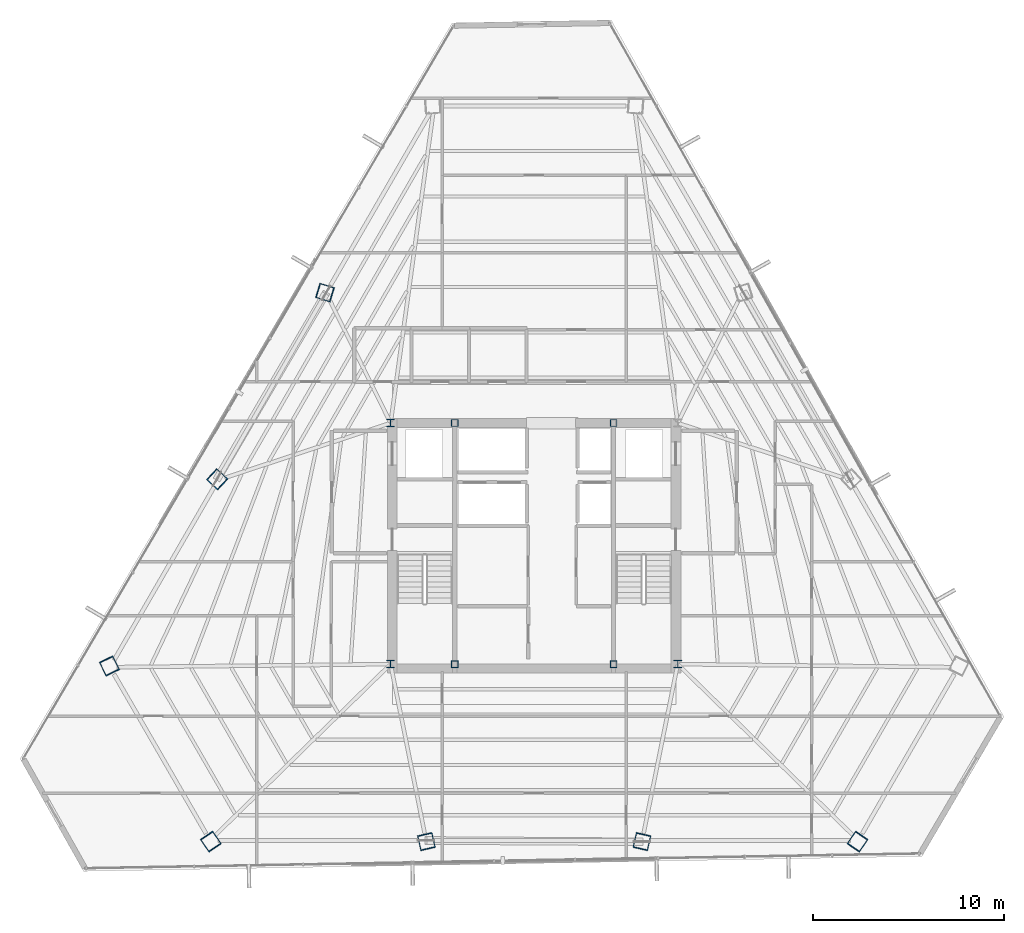
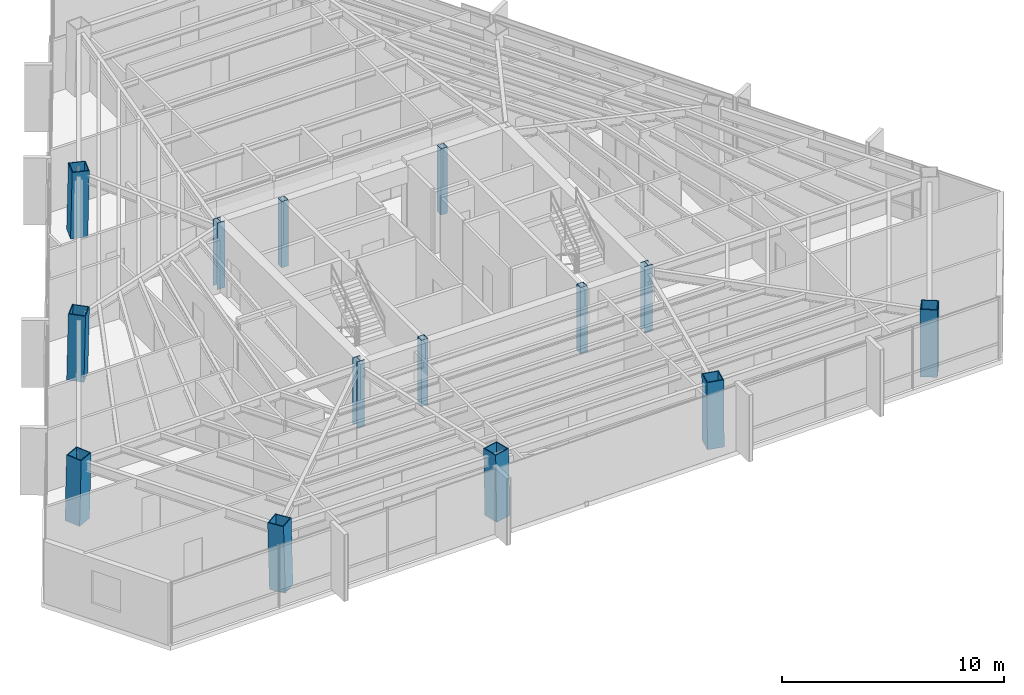
# One storey, part 1 of 42: 14 columns.
"""IFC4 building model written with IfcOpenShell, lengths in metres."""

from ifc_helpers import new_model, si_unit, direction, frame, origin, origin_2d, place, context, subcontext, project, spatial, hollow_rectangle, i_section, extrude, source, transform, mapped, material, material_profile, profile_set, type_object, type_shapes, element, save


model = new_model("IFC4")

# Units and contexts
model_context = context("Model", 3, precision=1e-05, world=origin(), true_north=direction((0.0, 1.0)))
body_context = subcontext(model_context, "Body", "Model", "MODEL_VIEW")
ifc_project = project(units=[si_unit("LENGTHUNIT", "METRE"), si_unit("AREAUNIT", "SQUARE_METRE"), si_unit("VOLUMEUNIT", "CUBIC_METRE"), si_unit("PLANEANGLEUNIT", "RADIAN"), si_unit("MASSUNIT", "GRAM", prefix="KILO")], contexts=[model_context])

# Site, building, storey
site_placement = place(None, origin())
site = spatial("IfcSite", under=ifc_project, at=site_placement, CompositionType="ELEMENT")
building_placement = place(site_placement, origin())
building = spatial("IfcBuilding", under=site, at=building_placement, Name="Caelisora Broadcast Tower", CompositionType="ELEMENT")
storey_placement = place(building_placement, frame((0.0, 0.0, 195.0)))
storey = spatial("IfcBuildingStorey", under=building, at=storey_placement, Name="L51", CompositionType="ELEMENT", Elevation=195.0)

# Columns
ifc_material_1 = material(Name="Steel Grade 350 (AS/NZS 3679.2)", Category="steel")
ifc_material_profile_1 = material_profile(ifc_material_1, i_section(OverallWidth=0.39990234375, OverallDepth=0.39990234375, WebThickness=0.02001953125, FlangeThickness=0.031982421875, at=origin_2d()), Name="Steel Grade 350 (AS/NZS 3679.2)")
ifc_profile_set_1 = profile_set([ifc_material_profile_1], Name="Steel Grade 350 (AS/NZS 3679.2)")
column_type_1 = type_object("IfcColumnType", Name="CC02", PredefinedType="COLUMN", material=ifc_profile_set_1)
shared_shape_1 = source(origin(), body_context, "Body", "SweptSolid", [
    extrude(i_section(OverallWidth=0.39990234375, OverallDepth=0.39990234375, WebThickness=0.02001953125, FlangeThickness=0.031982421875, at=origin_2d()), origin(), (0.0, 0.0, 1.0), 3.64990234375),
])
type_shapes(column_type_1, [shared_shape_1])
for number, where, z_axis, x_axis, name in (
    (1, (30.5, 17.39990234375, 0.0), (0.0, 0.0, 1.0), (1.0, 0.0, 0.0), "L51 column CC02"),
    (2, (45.5, 17.39990234375, 0.0), (0.0, 0.0, 1.0), (1.0, 0.0, 0.0), "L51 column CC02"),
    (3, (30.5, 30.0, 0.0), (0.0, 0.0, 1.0), (1.0, 0.0, 0.0), "L51 column CC02"),
):
    element("IfcColumn", number, at=place(storey_placement, frame(where, z_axis=z_axis, x_axis=x_axis)), inside=storey, type_object=column_type_1, Name=name, PredefinedType="COLUMN", context=body_context, shape_type="MappedRepresentation", body=[
        mapped(shared_shape_1, transform((0.0, 0.0, 0.0), scale=1.0)),
    ])
ifc_material_2 = material(Name="Steel Grade 350 (AS/NZS 1163 C350L0)", Category="steel")
ifc_material_profile_2 = material_profile(ifc_material_2, hollow_rectangle(XDim=0.35009765625, YDim=0.35009765625, WallThickness=0.01611328125, at=origin_2d()), Name="Steel Grade 350 (AS/NZS 1163 C350L0)")
ifc_profile_set_2 = profile_set([ifc_material_profile_2], Name="Steel Grade 350 (AS/NZS 1163 C350L0)")
column_type_2 = type_object("IfcColumnType", Name="CC07", PredefinedType="COLUMN", material=ifc_profile_set_2)
shared_shape_2 = source(origin(), body_context, "Body", "SweptSolid", [
    extrude(hollow_rectangle(XDim=0.35009765625, YDim=0.35009765625, WallThickness=0.01611328125, at=origin_2d()), origin(), (0.0, 0.0, 1.0), 3.64990234375),
])
type_shapes(column_type_2, [shared_shape_2])
for number, where, z_axis, x_axis, name in (
    (4, (33.85009765625, 17.39990234375, 0.0), (0.0, 0.0, 1.0), (1.0, 0.0, 0.0), "L51 column CC07"),
    (5, (42.14990234375, 17.39990234375, 0.0), (0.0, 0.0, 1.0), (1.0, 0.0, 0.0), "L51 column CC07"),
    (6, (33.85009765625, 30.0, 0.0), (0.0, 0.0, 1.0), (1.0, 0.0, 0.0), "L51 column CC07"),
    (7, (42.14990234375, 30.0, 0.0), (0.0, 0.0, 1.0), (1.0, 0.0, 0.0), "L51 column CC07"),
):
    element("IfcColumn", number, at=place(storey_placement, frame(where, z_axis=z_axis, x_axis=x_axis)), inside=storey, type_object=column_type_2, Name=name, PredefinedType="COLUMN", context=body_context, shape_type="MappedRepresentation", body=[
        mapped(shared_shape_2, transform((0.0, 0.0, 0.0), scale=1.0)),
    ])
ifc_material_3 = material(Name="Steel Grade 350 L15 (AS/NZS 3678)", Category="steel")
ifc_material_profile_3 = material_profile(ifc_material_3, hollow_rectangle(XDim=0.800048828125, YDim=0.800048828125, WallThickness=0.044921875, at=origin_2d()), Name="Steel Grade 350 L15 (AS/NZS 3678)")
ifc_profile_set_3 = profile_set([ifc_material_profile_3], Name="Steel Grade 350 L15 (AS/NZS 3678)")
column_type_3 = type_object("IfcColumnType", Name="MC05", PredefinedType="COLUMN", material=ifc_profile_set_3)
shared_shape_3 = source(origin(), body_context, "Body", "SweptSolid", [
    extrude(hollow_rectangle(XDim=0.800048828125, YDim=0.800048828125, WallThickness=0.044921875, at=origin_2d()), origin(), (0.0, 0.0, 1.0), 3.65087890625),
])
for number, where, z_axis, x_axis, name in (
    (8, (15.80029296875, 17.317626953125, 0.0), (0.010431795422, -0.021532295679, 0.999713727968), (0.899947055326, 0.435999194506, 0.0), "L51 column MC05"),
    (9, (21.113037109375, 8.11572265625, 0.0), (-0.013440967269, 0.019793663242, 0.999713734673), (-0.827290216258, -0.561774775229, 0.0), "L51 column MC05"),
    (10, (54.886962890625, 8.11572265625, 0.0), (0.013440967269, 0.019793663242, 0.999713734673), (-0.827290216258, 0.561774775229, 0.0), "L51 column MC05"),
):
    element("IfcColumn", number, at=place(storey_placement, frame(where, z_axis=z_axis, x_axis=x_axis)), inside=storey, type_object=column_type_3, Name=name, PredefinedType="COLUMN", context=body_context, shape_type="MappedRepresentation", body=[
        mapped(shared_shape_3, transform((0.0, 0.0, 0.0), scale=1.0)),
    ])
shared_shape_4 = source(origin(), body_context, "Body", "SweptSolid", [
    extrude(hollow_rectangle(XDim=0.800048828125, YDim=0.800048828125, WallThickness=0.044921875, at=origin_2d()), origin(), (0.0, 0.0, 1.0), 3.650634765625),
])
type_shapes(column_type_3, [shared_shape_3, shared_shape_4])
for number, where, z_axis, x_axis, name in (
    (11, (27.058349609375, 36.81689453125, 0.0), (0.019393993486, -0.006018825565, 0.999793802119), (0.296399214872, 0.955064136811, 0.0), "L51 column MC05"),
    (12, (21.429443359375, 27.0673828125, 0.0), (0.014913313399, -0.013776424037, 0.999793880369), (0.678553674548, 0.734550822447, 0.0), "L51 column MC05"),
    (13, (32.37109375, 8.11572265625, 0.0), (-0.004547556686, 0.019795246753, 0.99979371269), (-0.974612694662, -0.223897510936, 0.0), "L51 column MC05"),
    (14, (43.62890625, 8.11572265625, 0.0), (0.004547556686, 0.019795246753, 0.99979371269), (-0.974612694662, 0.223897510936, 0.0), "L51 column MC05"),
):
    element("IfcColumn", number, at=place(storey_placement, frame(where, z_axis=z_axis, x_axis=x_axis)), inside=storey, type_object=column_type_3, Name=name, PredefinedType="COLUMN", context=body_context, shape_type="MappedRepresentation", body=[
        mapped(shared_shape_4, transform((0.0, 0.0, 0.0), scale=1.0)),
    ])

save(model, "model.ifc")
